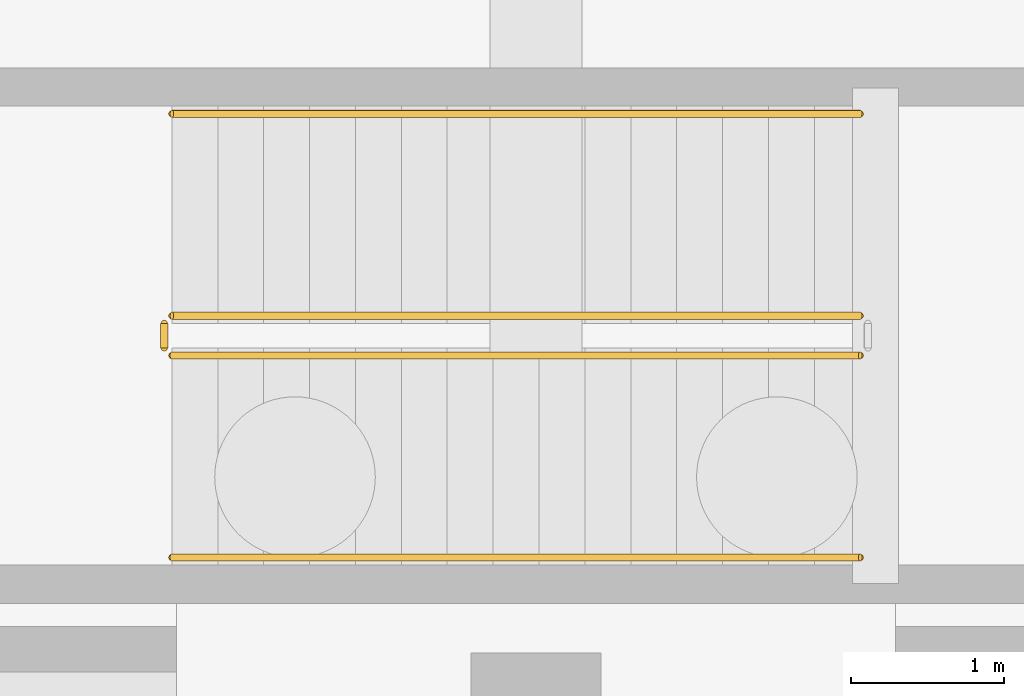
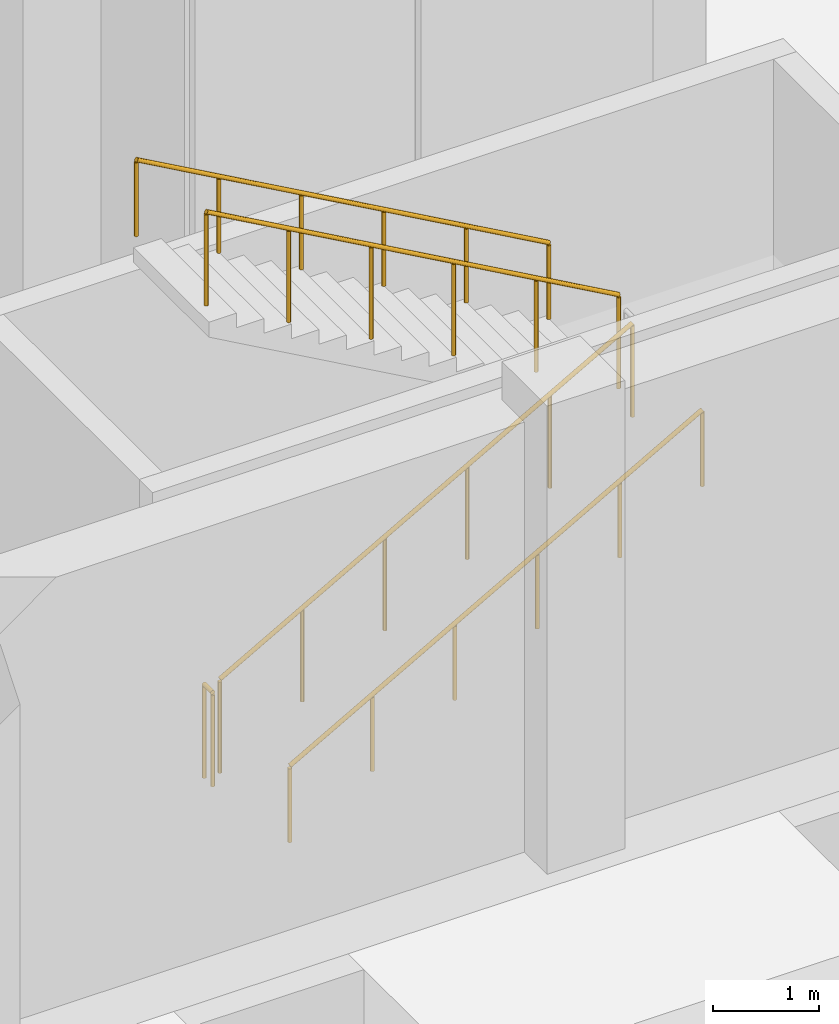
# One storey, part 18 of 23: 5 railings.
"""IFC4 building model written with IfcOpenShell, lengths in metres."""

from ifc_helpers import new_model, si_unit, direction, frame, origin, origin_2d, place, context, subcontext, project, spatial, circle, extrude, material, layer, layer_set, type_object, element, save


model = new_model("IFC4")

# Units and contexts
model_context = context("Model", 3, precision=1e-05, world=origin(), true_north=direction((0.0, 1.0)))
body_context = subcontext(model_context, "Body", "Model", "MODEL_VIEW")
ifc_project = project(units=[si_unit("LENGTHUNIT", "METRE"), si_unit("AREAUNIT", "SQUARE_METRE"), si_unit("VOLUMEUNIT", "CUBIC_METRE"), si_unit("PLANEANGLEUNIT", "RADIAN"), si_unit("MASSUNIT", "GRAM", prefix="KILO")], contexts=[model_context])

# Site, building, storey
site_placement = place(None, origin())
site = spatial("IfcSite", under=ifc_project, at=site_placement, CompositionType="ELEMENT")
building_placement = place(site_placement, origin())
building = spatial("IfcBuilding", under=site, at=building_placement, Name="Dornvale Research Institute", CompositionType="ELEMENT")
storey_placement = place(building_placement, frame((0.0, 0.0, -5.39990234375)))
storey = spatial("IfcBuildingStorey", under=building, at=storey_placement, Name="B1", CompositionType="ELEMENT", Elevation=-5.39990234375)

# Railings
ifc_material_1 = material(Name="Galvanized Painted Tubular Steel Stair Rail", Category="steel")
ifc_layer_1 = layer(ifc_material_1, 0.050048828125)
ifc_layer_set_1 = layer_set([ifc_layer_1], Name="Galvanized Painted Tubular Steel Stair Rail")
railing_type_1 = type_object("IfcRailingType", Name="Railing_Stair_Guard_1100", PredefinedType="GUARDRAIL", material=ifc_layer_set_1)
railing_1_placement = place(storey_placement, frame((123.02001953125, 94.77001953125, 0.168701171875)))
element("IfcRailing", 1, at=railing_1_placement, inside=storey, type_object=railing_type_1, Name="B1 ST-3 stair guard 1", PredefinedType="GUARDRAIL", context=body_context, shape_type="SweptSolid", body=[
    extrude(circle(Radius=0.02392578125, at=origin_2d()), frame((0.0, 0.0, 1.076171875), z_axis=(0.871575537125, 0.0, 0.490261239633), x_axis=(0.0, 1.0, 0.0)), (0.0, 0.0, 1.0), 5.1630859375),
    extrude(circle(Radius=0.02099609375, at=origin_2d()), origin(), (0.0, 0.0, 1.0), 1.052001953125),
    extrude(circle(Radius=0.02099609375, at=origin_2d()), frame((0.89990234375, 0.0, 0.50634765625)), (0.0, 0.0, 1.0), 1.052001953125),
    extrude(circle(Radius=0.02099609375, at=origin_2d()), frame((1.800048828125, 0.0, 1.012451171875)), (0.0, 0.0, 1.0), 1.052001953125),
    extrude(circle(Radius=0.02099609375, at=origin_2d()), frame((2.699951171875, 0.0, 1.518798828125)), (0.0, 0.0, 1.0), 1.052001953125),
    extrude(circle(Radius=0.02099609375, at=origin_2d()), frame((3.60009765625, 0.0, 2.02490234375)), (0.0, 0.0, 1.0), 1.052001953125),
    extrude(circle(Radius=0.02099609375, at=origin_2d()), frame((4.5, 0.0, 2.53125)), (0.0, 0.0, 1.0), 1.052001953125),
])
railing_2_placement = place(storey_placement, frame((127.52001953125, 95.030029296875, 2.86865234375)))
element("IfcRailing", 2, at=railing_2_placement, inside=storey, type_object=railing_type_1, Name="B1 ST-3 stair guard 3", PredefinedType="GUARDRAIL", context=body_context, shape_type="SweptSolid", body=[
    extrude(circle(Radius=0.02392578125, at=origin_2d()), frame((0.0, 0.0, 1.076171875), z_axis=(-0.871575537125, 0.0, 0.490261239633), x_axis=(0.0, -1.0, 0.0)), (0.0, 0.0, 1.0), 5.1630859375),
    extrude(circle(Radius=0.02099609375, at=origin_2d()), origin(), (0.0, 0.0, 1.0), 1.052001953125),
    extrude(circle(Radius=0.02099609375, at=origin_2d()), frame((-0.89990234375, 0.0, 0.50634765625)), (0.0, 0.0, 1.0), 1.052001953125),
    extrude(circle(Radius=0.02099609375, at=origin_2d()), frame((-1.800048828125, 0.0, 1.012451171875)), (0.0, 0.0, 1.0), 1.052001953125),
    extrude(circle(Radius=0.02099609375, at=origin_2d()), frame((-2.699951171875, 0.0, 1.518798828125)), (0.0, 0.0, 1.0), 1.052001953125),
    extrude(circle(Radius=0.02099609375, at=origin_2d()), frame((-3.60009765625, 0.0, 2.02490234375)), (0.0, 0.0, 1.0), 1.052001953125),
    extrude(circle(Radius=0.02099609375, at=origin_2d()), frame((-4.5, 0.0, 2.53125)), (0.0, 0.0, 1.0), 1.052001953125),
])
railing_3_placement = place(storey_placement, frame((122.969970703125, 94.820068359375, 0.0)))
element("IfcRailing", 3, at=railing_3_placement, inside=storey, type_object=railing_type_1, Name="B1 ST-3 stair guard 4", PredefinedType="GUARDRAIL", context=body_context, shape_type="SweptSolid", body=[
    extrude(circle(Radius=0.02392578125, at=origin_2d()), frame((0.0, 0.0, 1.076171875), z_axis=(0.0, 1.0, 0.0), x_axis=(-1.0, 0.0, 0.0)), (0.0, 0.0, 1.0), 0.159912109375),
    extrude(circle(Radius=0.02099609375, at=origin_2d()), origin(), (0.0, 0.0, 1.0), 1.052001953125),
    extrude(circle(Radius=0.02099609375, at=origin_2d()), frame((0.0, 0.159912109375, 0.0)), (0.0, 0.0, 1.0), 1.052001953125),
])
ifc_material_2 = material(Name="Galvanized Painted Tubular Steel Stair Rail", Category="steel")
ifc_layer_2 = layer(ifc_material_2, 0.044921875)
ifc_layer_set_2 = layer_set([ifc_layer_2], Name="Galvanized Painted Tubular Steel Stair Rail")
railing_type_2 = type_object("IfcRailingType", Name="Railing_Stair_Handrail_900", PredefinedType="HANDRAIL", material=ifc_layer_set_2)
railing_4_placement = place(storey_placement, frame((123.02001953125, 93.449951171875, 0.168701171875)))
element("IfcRailing", 4, at=railing_4_placement, inside=storey, type_object=railing_type_2, Name="B1 ST-3 stair handrail 1", PredefinedType="HANDRAIL", context=body_context, shape_type="SweptSolid", body=[
    extrude(circle(Radius=0.02392578125, at=origin_2d()), frame((0.0, 0.0, 0.8759765625), z_axis=(0.871575537125, 0.0, 0.490261239633), x_axis=(0.0, 1.0, 0.0)), (0.0, 0.0, 1.0), 5.1630859375),
    extrude(circle(Radius=0.02099609375, at=origin_2d()), origin(), (0.0, 0.0, 1.0), 0.851806640625),
    extrude(circle(Radius=0.02099609375, at=origin_2d()), frame((0.89990234375, 0.0, 0.50634765625)), (0.0, 0.0, 1.0), 0.851806640625),
    extrude(circle(Radius=0.02099609375, at=origin_2d()), frame((1.800048828125, 0.0, 1.012451171875)), (0.0, 0.0, 1.0), 0.851806640625),
    extrude(circle(Radius=0.02099609375, at=origin_2d()), frame((2.699951171875, 0.0, 1.518798828125)), (0.0, 0.0, 1.0), 0.851806640625),
    extrude(circle(Radius=0.02099609375, at=origin_2d()), frame((3.60009765625, 0.0, 2.02490234375)), (0.0, 0.0, 1.0), 0.851806640625),
    extrude(circle(Radius=0.02099609375, at=origin_2d()), frame((4.5, 0.0, 2.53125)), (0.0, 0.0, 1.0), 0.851806640625),
])
railing_5_placement = place(storey_placement, frame((127.52001953125, 96.35009765625, 2.86865234375)))
element("IfcRailing", 5, at=railing_5_placement, inside=storey, type_object=railing_type_2, Name="B1 ST-3 stair handrail 2", PredefinedType="HANDRAIL", context=body_context, shape_type="SweptSolid", body=[
    extrude(circle(Radius=0.02392578125, at=origin_2d()), frame((0.0, 0.0, 0.8759765625), z_axis=(-0.871575537125, 0.0, 0.490261239633), x_axis=(0.0, -1.0, 0.0)), (0.0, 0.0, 1.0), 5.1630859375),
    extrude(circle(Radius=0.02099609375, at=origin_2d()), origin(), (0.0, 0.0, 1.0), 0.851806640625),
    extrude(circle(Radius=0.02099609375, at=origin_2d()), frame((-0.89990234375, 0.0, 0.50634765625)), (0.0, 0.0, 1.0), 0.851806640625),
    extrude(circle(Radius=0.02099609375, at=origin_2d()), frame((-1.800048828125, 0.0, 1.012451171875)), (0.0, 0.0, 1.0), 0.851806640625),
    extrude(circle(Radius=0.02099609375, at=origin_2d()), frame((-2.699951171875, 0.0, 1.518798828125)), (0.0, 0.0, 1.0), 0.851806640625),
    extrude(circle(Radius=0.02099609375, at=origin_2d()), frame((-3.60009765625, 0.0, 2.02490234375)), (0.0, 0.0, 1.0), 0.851806640625),
    extrude(circle(Radius=0.02099609375, at=origin_2d()), frame((-4.5, 0.0, 2.53125)), (0.0, 0.0, 1.0), 0.851806640625),
])

save(model, "model.ifc")
